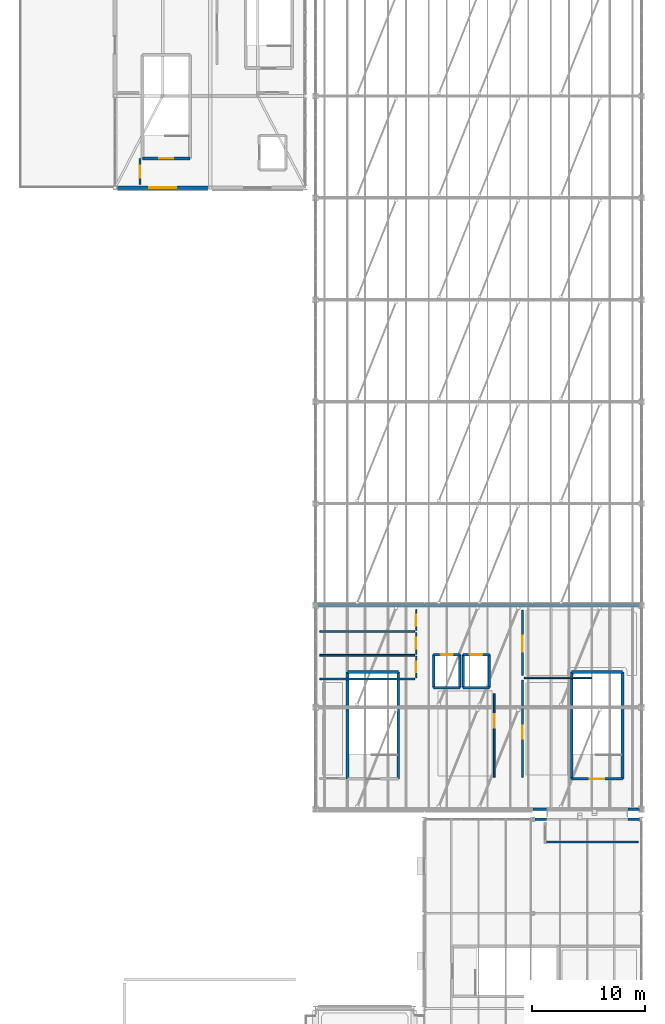
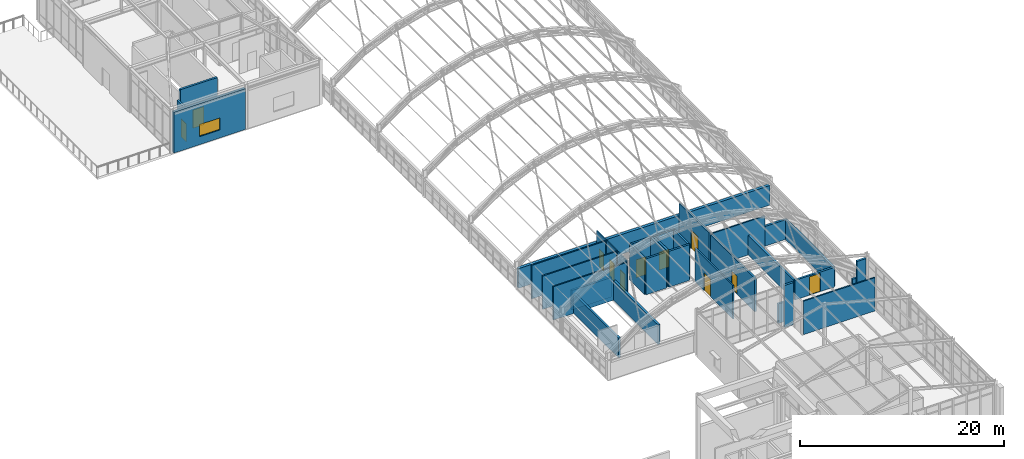
# One storey, part 116 of 121: 36 walls, 11 doors, 1 window, 12 openings.
"""IFC4 building model written with IfcOpenShell, lengths in metres."""

from ifc_helpers import new_model, si_unit, direction, frame, frame_2d, origin, place, context, subcontext, project, spatial, rectangle, extrude, material, layer, layer_set, type_object, element, fill, save


model = new_model("IFC4")

# Units and contexts
model_context = context("Model", 3, precision=1e-05, world=origin(), true_north=direction((0.0, 1.0)))
body_context = subcontext(model_context, "Body", "Model", "MODEL_VIEW")
ifc_project = project(units=[si_unit("LENGTHUNIT", "METRE"), si_unit("AREAUNIT", "SQUARE_METRE"), si_unit("VOLUMEUNIT", "CUBIC_METRE"), si_unit("PLANEANGLEUNIT", "RADIAN"), si_unit("MASSUNIT", "GRAM", prefix="KILO")], contexts=[model_context])

# Site, building, storey
site_placement = place(None, origin())
site = spatial("IfcSite", under=ifc_project, at=site_placement, CompositionType="ELEMENT")
building_placement = place(site_placement, origin())
building = spatial("IfcBuilding", under=site, at=building_placement, Name="Canglan Escarpment Cableway Terminal", CompositionType="ELEMENT")
storey_placement = place(building_placement, frame((0.0, 0.0, 24.60009765625)))
storey = spatial("IfcBuildingStorey", under=building, at=storey_placement, Name="L05", CompositionType="ELEMENT", Elevation=24.60009765625)

# Wall, opening, door
ifc_material_1 = material(Name="Concrete C40", Category="concrete")
ifc_layer_1 = layer(ifc_material_1, 0.239990234375, Name="Concrete C40")
ifc_layer_set_1 = layer_set([ifc_layer_1], Name="Concrete C40")
wall_type_1 = type_object("IfcWallType", Name="WL-CORE-SHEAR-240", PredefinedType="SHEAR", material=ifc_layer_set_1)
wall_1_placement = place(storey_placement, frame((122.330078125, 91.47998046875, 0.0), z_axis=(0.0, 0.0, 1.0), x_axis=(1.0, 0.0, 0.0)))
wall_1 = element("IfcWall", 1, at=wall_1_placement, inside=storey, type_object=wall_type_1, Name="Protected stair core wall ST-12 (L05)", PredefinedType="SHEAR", context=body_context, shape_type="SweptSolid", body=[
    extrude(rectangle(XDim=4.18994140625, YDim=0.239990234375, at=frame_2d((2.094970703125, 0.0))), origin(), (0.0, 0.0, 1.0), 5.199951171875),
])
opening_1_placement = place(wall_1_placement, frame((1.469970703125, 0.0, 0.0)))
opening_1 = element("IfcOpeningElement", 2, at=opening_1_placement, cuts=wall_1, Name="Opening SD-D1", PredefinedType="OPENING", context=body_context, shape_type="SweptSolid", body=[
    extrude(rectangle(XDim=1.25, YDim=2.199951171875, at=frame_2d((0.625, 1.10009765625))), frame((0.0, 0.1298828125, 0.0), z_axis=(0.0, -1.0, 0.0), x_axis=(1.0, 0.0, 0.0)), (0.0, 0.0, 1.0), 0.260009765625),
])
ifc_material_2 = material(Name="Steel fire-resisting stair door", Category="steel")
door_type_1 = type_object("IfcDoorType", Name="DR-STAIR-EI90-1250", OperationType="NOTDEFINED", PredefinedType="DOOR", material=ifc_material_2)
door_1_placement = place(opening_1_placement, origin())
door_1 = element("IfcDoor", 3, at=door_1_placement, inside=storey, type_object=door_type_1, Name="Protected exit stair fire door ST-12 (L05)", OperationType="SINGLE_SWING_RIGHT", OverallHeight=2.199951171875, OverallWidth=1.25, PredefinedType="DOOR", context=body_context, shape_type="SweptSolid", body=[
    extrude(rectangle(XDim=1.25, YDim=2.199951171875, at=frame_2d((0.625, 1.10009765625))), frame((0.0, 0.02490234375, 0.0), z_axis=(0.0, -1.0, 0.0), x_axis=(1.0, 0.0, 0.0)), (0.0, 0.0, 1.0), 0.050048828125),
])
fill(opening_1, door_1)

# Walls
wall_2_placement = place(storey_placement, frame((144.919921875, 36.679931640625, 0.0), z_axis=(0.0, 0.0, 1.0), x_axis=(0.0, 1.0, 0.0)))
element("IfcWall", 4, at=wall_2_placement, inside=storey, type_object=wall_type_1, Name="Protected stair core wall ST-13 (L05)", PredefinedType="SHEAR", context=body_context, shape_type="SweptSolid", body=[
    extrude(rectangle(XDim=9.440185546875, YDim=0.239990234375, at=frame_2d((4.72021484375, 0.0))), origin(), (0.0, 0.0, 1.0), 2.349853515625),
])
wall_3_placement = place(storey_placement, frame((144.919921875, 46.1201171875, 0.0), z_axis=(0.0, 0.0, 1.0), x_axis=(-1.0, 0.0, 0.0)))
element("IfcWall", 5, at=wall_3_placement, inside=storey, type_object=wall_type_1, Name="Protected stair core wall ST-13 (L05)", PredefinedType="SHEAR", context=body_context, shape_type="SweptSolid", body=[
    extrude(rectangle(XDim=4.489990234375, YDim=0.239990234375, at=frame_2d((2.2451171875, 0.0))), origin(), (0.0, 0.0, 1.0), 2.349853515625),
])
for number, where, z_axis, x_axis, name in (
    (6, (140.429931640625, 46.1201171875, 0.0), (0.0, 0.0, 1.0), (0.0, -1.0, 0.0), "Protected stair core wall ST-13 (L05)"),
    (7, (164.719970703125, 36.679931640625, 0.0), (0.0, 0.0, 1.0), (0.0, 1.0, 0.0), "Protected stair core wall ST-15 (L05)"),
):
    element("IfcWall", number, at=place(storey_placement, frame(where, z_axis=z_axis, x_axis=x_axis)), inside=storey, type_object=wall_type_1, Name=name, PredefinedType="SHEAR", context=body_context, shape_type="SweptSolid", body=[
        extrude(rectangle(XDim=9.440185546875, YDim=0.239990234375, at=frame_2d((4.72021484375, 0.0))), origin(), (0.0, 0.0, 1.0), 2.349853515625),
    ])
wall_4_placement = place(storey_placement, frame((164.719970703125, 46.1201171875, 0.0), z_axis=(0.0, 0.0, 1.0), x_axis=(-1.0, 0.0, 0.0)))
element("IfcWall", 8, at=wall_4_placement, inside=storey, type_object=wall_type_1, Name="Protected stair core wall ST-15 (L05)", PredefinedType="SHEAR", context=body_context, shape_type="SweptSolid", body=[
    extrude(rectangle(XDim=4.489990234375, YDim=0.239990234375, at=frame_2d((2.2451171875, 0.0))), origin(), (0.0, 0.0, 1.0), 2.349853515625),
])
wall_5_placement = place(storey_placement, frame((160.22998046875, 46.1201171875, 0.0), z_axis=(0.0, 0.0, 1.0), x_axis=(0.0, -1.0, 0.0)))
element("IfcWall", 9, at=wall_5_placement, inside=storey, type_object=wall_type_1, Name="Protected stair core wall ST-15 (L05)", PredefinedType="SHEAR", context=body_context, shape_type="SweptSolid", body=[
    extrude(rectangle(XDim=9.440185546875, YDim=0.239990234375, at=frame_2d((4.72021484375, 0.0))), origin(), (0.0, 0.0, 1.0), 2.349853515625),
])

# Wall, opening, door
wall_6_placement = place(storey_placement, frame((160.22998046875, 36.679931640625, 0.0), z_axis=(0.0, 0.0, 1.0), x_axis=(1.0, 0.0, 0.0)))
wall_6 = element("IfcWall", 10, at=wall_6_placement, inside=storey, type_object=wall_type_1, Name="Protected stair core wall ST-15 (L05)", PredefinedType="SHEAR", context=body_context, shape_type="SweptSolid", body=[
    extrude(rectangle(XDim=4.489990234375, YDim=0.239990234375, at=frame_2d((2.2451171875, 0.0))), origin(), (0.0, 0.0, 1.0), 2.349853515625),
])
opening_2_placement = place(wall_6_placement, frame((1.6201171875, 0.0, 0.0)))
opening_2 = element("IfcOpeningElement", 11, at=opening_2_placement, cuts=wall_6, Name="Opening SD-D1", PredefinedType="OPENING", context=body_context, shape_type="SweptSolid", body=[
    extrude(rectangle(XDim=1.25, YDim=2.199951171875, at=frame_2d((0.625, 1.10009765625))), frame((0.0, 0.1298828125, 0.0), z_axis=(0.0, -1.0, 0.0), x_axis=(1.0, 0.0, 0.0)), (0.0, 0.0, 1.0), 0.260009765625),
])
door_2_placement = place(opening_2_placement, origin())
door_2 = element("IfcDoor", 12, at=door_2_placement, inside=storey, type_object=door_type_1, Name="Protected exit stair fire door ST-15 (L05)", OperationType="SINGLE_SWING_LEFT", OverallHeight=2.199951171875, OverallWidth=1.25, PredefinedType="DOOR", context=body_context, shape_type="SweptSolid", body=[
    extrude(rectangle(XDim=1.25, YDim=2.199951171875, at=frame_2d((0.625, 1.10009765625))), frame((0.0, 0.02490234375, 0.0), z_axis=(0.0, -1.0, 0.0), x_axis=(1.0, 0.0, 0.0)), (0.0, 0.0, 1.0), 0.050048828125),
])
fill(opening_2, door_2)

# Walls
ifc_material_3 = material(Name="Dressed ashlar limestone on Concrete C40", Category="masonry")
ifc_layer_2 = layer(ifc_material_3, 0.320068359375, Name="Dressed ashlar limestone on Concrete C40")
ifc_layer_set_2 = layer_set([ifc_layer_2], Name="Dressed ashlar limestone on Concrete C40")
wall_type_2 = type_object("IfcWallType", Name="WL-EXT-ASHLAR-320", PredefinedType="STANDARD", material=ifc_layer_set_2)
wall_7_placement = place(storey_placement, frame((147.199951171875, 52.0, 0.0), z_axis=(0.0, 0.0, 1.0), x_axis=(-1.0, 0.0, 0.0)))
element("IfcWall", 13, at=wall_7_placement, inside=storey, type_object=wall_type_2, Name="Classical stone-faced exterior wall EW-FB9-L05-N-01", PredefinedType="STANDARD", context=body_context, shape_type="SweptSolid", body=[
    extrude(rectangle(XDim=9.425048828125, YDim=0.320068359375, at=frame_2d((4.71240234375, 0.0))), origin(), (0.0, 0.0, 1.0), 2.349853515625),
])
wall_8_placement = place(storey_placement, frame((156.800048828125, 52.0, 0.0), z_axis=(0.0, 0.0, 1.0), x_axis=(-1.0, 0.0, 0.0)))
element("IfcWall", 14, at=wall_8_placement, inside=storey, type_object=wall_type_2, Name="Classical stone-faced exterior wall EW-FB9-L05-N-02", PredefinedType="STANDARD", context=body_context, shape_type="SweptSolid", body=[
    extrude(rectangle(XDim=9.60009765625, YDim=0.320068359375, at=frame_2d((4.800048828125, 0.0))), origin(), (0.0, 0.0, 1.0), 2.349853515625),
])
wall_9_placement = place(storey_placement, frame((166.22509765625, 52.0, 0.0), z_axis=(0.0, 0.0, 1.0), x_axis=(-1.0, 0.0, 0.0)))
element("IfcWall", 15, at=wall_9_placement, inside=storey, type_object=wall_type_2, Name="Classical stone-faced exterior wall EW-FB9-L05-N-03", PredefinedType="STANDARD", context=body_context, shape_type="SweptSolid", body=[
    extrude(rectangle(XDim=9.425048828125, YDim=0.320068359375, at=frame_2d((4.71240234375, 0.0))), origin(), (0.0, 0.0, 1.0), 2.349853515625),
])

# Wall, opening, window
ifc_material_4 = material(Name="Bush-hammered granite ashlar on Concrete C40", Category="masonry")
ifc_layer_3 = layer(ifc_material_4, 0.340087890625, Name="Bush-hammered granite ashlar on Concrete C40")
ifc_layer_set_3 = layer_set([ifc_layer_3], Name="Bush-hammered granite ashlar on Concrete C40")
wall_type_3 = type_object("IfcWallType", Name="WL-EXT-GRAN-340", PredefinedType="STANDARD", material=ifc_layer_set_3)
wall_10_placement = place(storey_placement, frame((120.077880859375, 88.89990234375, 0.0), z_axis=(0.0, 0.0, 1.0), x_axis=(1.0, 0.0, 0.0)))
wall_10 = element("IfcWall", 16, at=wall_10_placement, inside=storey, type_object=wall_type_3, Name="Classical stone-faced exterior wall EW-FB8-L05-S-01", PredefinedType="STANDARD", context=body_context, shape_type="SweptSolid", body=[
    extrude(rectangle(XDim=8.072021484375, YDim=0.340087890625, at=frame_2d((4.0361328125, 0.0))), origin(), (0.0, 0.0, 1.0), 4.880859375),
])
opening_3_placement = place(wall_10_placement, frame((2.861083984375, 0.0, 0.949951171875)))
opening_3 = element("IfcOpeningElement", 17, at=opening_3_placement, cuts=wall_10, Name="Opening W-21", PredefinedType="OPENING", context=body_context, shape_type="SweptSolid", body=[
    extrude(rectangle(XDim=2.35009765625, YDim=1.449951171875, at=frame_2d((1.175048828125, 0.72509765625))), frame((0.0, 0.18017578125, 0.0), z_axis=(0.0, -1.0, 0.0), x_axis=(1.0, 0.0, 0.0)), (0.0, 0.0, 1.0), 0.360107421875),
])
ifc_material_5 = material(Name="Anodized bronze aluminium and Low-E double glazing", Category="aluminium")
window_type = type_object("IfcWindowType", Name="WIN-EXT-21", PartitioningType="DOUBLE_PANEL_VERTICAL", PredefinedType="WINDOW", material=ifc_material_5)
window_placement = place(opening_3_placement, origin())
window = element("IfcWindow", 18, at=window_placement, inside=storey, type_object=window_type, Name="Classical module window W-21", OverallHeight=1.449951171875, OverallWidth=2.35009765625, PartitioningType="SINGLE_PANEL", PredefinedType="WINDOW", context=body_context, shape_type="SweptSolid", body=[
    extrude(rectangle(XDim=2.35009765625, YDim=1.449951171875, at=frame_2d((1.175048828125, 0.72509765625))), frame((0.0, 0.030029296875, 0.0), z_axis=(0.0, -1.0, 0.0), x_axis=(1.0, 0.0, 0.0)), (0.0, 0.0, 1.0), 0.06005859375),
])
fill(opening_3, window)

# Walls
ifc_material_6 = material(Name="Insulated stone-faced spandrel wall", Category="masonry")
ifc_layer_4 = layer(ifc_material_6, 0.22998046875, Name="Insulated stone-faced spandrel wall")
ifc_layer_set_4 = layer_set([ifc_layer_4], Name="Insulated stone-faced spandrel wall")
wall_type_4 = type_object("IfcWallType", Name="WL-EXT-LINK-230", PredefinedType="STANDARD", material=ifc_layer_set_4)
wall_11_placement = place(storey_placement, frame((156.97509765625, 33.10009765625, 0.0), z_axis=(0.0, 0.0, 1.0), x_axis=(1.0, 0.0, 0.0)))
element("IfcWall", 19, at=wall_11_placement, inside=storey, type_object=wall_type_4, Name="Classical stone-faced exterior wall EW-FB5-L05-N-02-FL1", PredefinedType="STANDARD", context=body_context, shape_type="SweptSolid", body=[
    extrude(rectangle(XDim=1.02490234375, YDim=0.22998046875, at=frame_2d((0.512451171875, 0.0))), origin(), (0.0, 0.0, 1.0), 5.0498046875),
])
wall_12_placement = place(storey_placement, frame((165.199951171875, 33.10009765625, 0.0), z_axis=(0.0, 0.0, 1.0), x_axis=(1.0, 0.0, 0.0)))
element("IfcWall", 20, at=wall_12_placement, inside=storey, type_object=wall_type_4, Name="Classical stone-faced exterior wall EW-FB5-L05-N-02-FL2", PredefinedType="STANDARD", context=body_context, shape_type="SweptSolid", body=[
    extrude(rectangle(XDim=1.025146484375, YDim=0.22998046875, at=frame_2d((0.5126953125, 0.0))), origin(), (0.0, 0.0, 1.0), 5.0498046875),
])
wall_13_placement = place(storey_placement, frame((156.800048828125, 34.0, 0.0), z_axis=(0.0, 0.0, 1.0), x_axis=(1.0, 0.0, 0.0)))
element("IfcWall", 21, at=wall_13_placement, inside=storey, type_object=wall_type_4, Name="Classical stone-faced exterior wall EW-FB9-L05-S-03-FL1", PredefinedType="STANDARD", context=body_context, shape_type="SweptSolid", body=[
    extrude(rectangle(XDim=1.199951171875, YDim=0.22998046875, at=frame_2d((0.60009765625, 0.0))), origin(), (0.0, 0.0, 1.0), 2.349853515625),
])
wall_14_placement = place(storey_placement, frame((165.199951171875, 34.0, 0.0), z_axis=(0.0, 0.0, 1.0), x_axis=(1.0, 0.0, 0.0)))
element("IfcWall", 22, at=wall_14_placement, inside=storey, type_object=wall_type_4, Name="Classical stone-faced exterior wall EW-FB9-L05-S-03-FL2", PredefinedType="STANDARD", context=body_context, shape_type="SweptSolid", body=[
    extrude(rectangle(XDim=1.025146484375, YDim=0.22998046875, at=frame_2d((0.5126953125, 0.0))), origin(), (0.0, 0.0, 1.0), 2.349853515625),
])

# Wall, opening, door
ifc_material_7 = material(Name="Autoclaved aerated concrete blockwork", Category="masonry")
ifc_layer_5 = layer(ifc_material_7, 0.179931640625, Name="Autoclaved aerated concrete blockwork")
ifc_layer_set_5 = layer_set([ifc_layer_5], Name="Autoclaved aerated concrete blockwork")
wall_type_5 = type_object("IfcWallType", Name="WL-INT-FIRE-180-EI60", PredefinedType="PARTITIONING", material=ifc_layer_set_5)
wall_15_placement = place(storey_placement, frame((122.10009765625, 89.199951171875, 0.0), z_axis=(0.0, 0.0, 1.0), x_axis=(0.0, 1.0, 0.0)))
wall_15 = element("IfcWall", 23, at=wall_15_placement, inside=storey, type_object=wall_type_5, Name="Interior partition wall IW-L05-10-MAIN", PredefinedType="PARTITIONING", context=body_context, shape_type="SweptSolid", body=[
    extrude(rectangle(XDim=2.300048828125, YDim=0.179931640625, at=frame_2d((1.14990234375, 0.0))), origin(), (0.0, 0.0, 1.0), 4.0),
])
opening_4_placement = place(wall_15_placement, frame((0.574951171875, 0.0, 0.0)))
opening_4 = element("IfcOpeningElement", 24, at=opening_4_placement, cuts=wall_15, Name="Opening ID-04", PredefinedType="OPENING", context=body_context, shape_type="SweptSolid", body=[
    extrude(rectangle(XDim=1.050048828125, YDim=2.14990234375, at=frame_2d((0.52490234375, 1.074951171875))), frame((0.0, 0.10009765625, 0.0), z_axis=(0.0, -1.0, 0.0), x_axis=(1.0, 0.0, 0.0)), (0.0, 0.0, 1.0), 0.199951171875),
])
ifc_material_8 = material(Name="Stained oak and safety glass door", Category="glass")
door_type_2 = type_object("IfcDoorType", Name="DR-INT-ID-04", OperationType="NOTDEFINED", PredefinedType="DOOR", material=ifc_material_8)
door_3_placement = place(opening_4_placement, origin())
door_3 = element("IfcDoor", 25, at=door_3_placement, inside=storey, type_object=door_type_2, Name="Rope Tension Telemetry Room door ID-04", OperationType="SINGLE_SWING_RIGHT", OverallHeight=2.14990234375, OverallWidth=1.050048828125, PredefinedType="DOOR", context=body_context, shape_type="SweptSolid", body=[
    extrude(rectangle(XDim=1.050048828125, YDim=2.14990234375, at=frame_2d((0.52490234375, 1.074951171875))), frame((0.0, 0.02490234375, 0.0), z_axis=(0.0, -1.0, 0.0), x_axis=(1.0, 0.0, 0.0)), (0.0, 0.0, 1.0), 0.050048828125),
])
fill(opening_4, door_3)

wall_16_placement = place(storey_placement, frame((155.89990234375, 45.800048828125, 0.0), z_axis=(0.0, 0.0, 1.0), x_axis=(0.0, 1.0, 0.0)))
wall_16 = element("IfcWall", 26, at=wall_16_placement, inside=storey, type_object=wall_type_5, Name="Interior partition wall IW-L05-13-MAIN", PredefinedType="PARTITIONING", context=body_context, shape_type="SweptSolid", body=[
    extrude(rectangle(XDim=5.800048828125, YDim=0.179931640625, at=frame_2d((2.89990234375, 0.0))), origin(), (0.0, 0.0, 1.0), 4.0),
])
opening_5_placement = place(wall_16_placement, frame((2.10009765625, 0.0, 0.0)))
opening_5 = element("IfcOpeningElement", 27, at=opening_5_placement, cuts=wall_16, Name="Opening ID-17", PredefinedType="OPENING", context=body_context, shape_type="SweptSolid", body=[
    extrude(rectangle(XDim=1.39990234375, YDim=2.219970703125, at=frame_2d((0.699951171875, 1.10986328125))), frame((0.0, 0.10009765625, 0.0), z_axis=(0.0, -1.0, 0.0), x_axis=(1.0, 0.0, 0.0)), (0.0, 0.0, 1.0), 0.199951171875),
])
door_type_3 = type_object("IfcDoorType", Name="DR-INT-ID-17", OperationType="NOTDEFINED", PredefinedType="DOOR", material=ifc_material_8)
door_4_placement = place(opening_5_placement, origin())
door_4 = element("IfcDoor", 28, at=door_4_placement, inside=storey, type_object=door_type_3, Name="Ropeway Dispatch Control Bridge door ID-17", OperationType="SINGLE_SWING_LEFT", OverallHeight=2.219970703125, OverallWidth=1.39990234375, PredefinedType="DOOR", context=body_context, shape_type="SweptSolid", body=[
    extrude(rectangle(XDim=1.39990234375, YDim=2.219970703125, at=frame_2d((0.699951171875, 1.10986328125))), frame((0.0, 0.02490234375, 0.0), z_axis=(0.0, -1.0, 0.0), x_axis=(1.0, 0.0, 0.0)), (0.0, 0.0, 1.0), 0.050048828125),
])
fill(opening_5, door_4)

ifc_layer_6 = layer(ifc_material_7, 0.199951171875, Name="Autoclaved aerated concrete blockwork")
ifc_layer_set_6 = layer_set([ifc_layer_6], Name="Autoclaved aerated concrete blockwork")
wall_type_6 = type_object("IfcWallType", Name="WL-INT-FIRE-200-EI90", PredefinedType="PARTITIONING", material=ifc_layer_set_6)
wall_17_placement = place(storey_placement, frame((155.89990234375, 36.800048828125, 0.0), z_axis=(0.0, 0.0, 1.0), x_axis=(0.0, 1.0, 0.0)))
wall_17 = element("IfcWall", 29, at=wall_17_placement, inside=storey, type_object=wall_type_6, Name="Interior partition wall IW-L05-14-MAIN", PredefinedType="PARTITIONING", context=body_context, shape_type="SweptSolid", body=[
    extrude(rectangle(XDim=8.599853515625, YDim=0.199951171875, at=frame_2d((4.2998046875, 0.0))), origin(), (0.0, 0.0, 1.0), 4.0),
])
opening_6_placement = place(wall_17_placement, frame((3.425048828125, 0.0, 0.0)))
opening_6 = element("IfcOpeningElement", 30, at=opening_6_placement, cuts=wall_17, Name="Opening ID-08", PredefinedType="OPENING", context=body_context, shape_type="SweptSolid", body=[
    extrude(rectangle(XDim=1.14990234375, YDim=2.159912109375, at=frame_2d((0.574951171875, 1.080078125))), frame((0.0, 0.10986328125, 0.0), z_axis=(0.0, -1.0, 0.0), x_axis=(1.0, 0.0, 0.0)), (0.0, 0.0, 1.0), 0.219970703125),
])
ifc_material_9 = material(Name="Fire-rated steel leaf", Category="steel")
door_type_4 = type_object("IfcDoorType", Name="DR-INT-ID-08", OperationType="NOTDEFINED", PredefinedType="DOOR", material=ifc_material_9)
door_5_placement = place(opening_6_placement, origin())
door_5 = element("IfcDoor", 31, at=door_5_placement, inside=storey, type_object=door_type_4, Name="Line Safety Command Room door ID-08", OperationType="SINGLE_SWING_RIGHT", OverallHeight=2.159912109375, OverallWidth=1.14990234375, PredefinedType="DOOR", context=body_context, shape_type="SweptSolid", body=[
    extrude(rectangle(XDim=1.14990234375, YDim=2.159912109375, at=frame_2d((0.574951171875, 1.080078125))), frame((0.0, 0.02490234375, 0.0), z_axis=(0.0, -1.0, 0.0), x_axis=(1.0, 0.0, 0.0)), (0.0, 0.0, 1.0), 0.050048828125),
])
fill(opening_6, door_5)

ifc_material_10 = material(Name="Moisture-resistant tile-faced partition", Category="gypsum")
ifc_layer_7 = layer(ifc_material_10, 0.1201171875, Name="Moisture-resistant tile-faced partition")
ifc_layer_set_7 = layer_set([ifc_layer_7], Name="Moisture-resistant tile-faced partition")
wall_type_7 = type_object("IfcWallType", Name="WL-INT-PART-120", PredefinedType="PARTITIONING", material=ifc_layer_set_7)
wall_18_placement = place(storey_placement, frame((146.5, 45.60009765625, 0.0), z_axis=(0.0, 0.0, 1.0), x_axis=(0.0, 1.0, 0.0)))
wall_18 = element("IfcWall", 32, at=wall_18_placement, inside=storey, type_object=wall_type_7, Name="Interior partition wall IW-L05-15-MAIN", PredefinedType="PARTITIONING", context=body_context, shape_type="SweptSolid", body=[
    extrude(rectangle(XDim=1.89990234375, YDim=0.1201171875, at=frame_2d((0.949951171875, 0.0))), origin(), (0.0, 0.0, 1.0), 4.0),
])
opening_7_placement = place(wall_18_placement, frame((0.47509765625, 0.0, 0.0)))
opening_7 = element("IfcOpeningElement", 33, at=opening_7_placement, cuts=wall_18, Name="Opening ID-01", PredefinedType="OPENING", context=body_context, shape_type="SweptSolid", body=[
    extrude(rectangle(XDim=0.949951171875, YDim=2.1201171875, at=frame_2d((0.47509765625, 1.06005859375))), frame((0.0, 0.070068359375, 0.0), z_axis=(0.0, -1.0, 0.0), x_axis=(1.0, 0.0, 0.0)), (0.0, 0.0, 1.0), 0.14013671875),
])
door_type_5 = type_object("IfcDoorType", Name="DR-INT-ID-01", OperationType="NOTDEFINED", PredefinedType="DOOR", material=ifc_material_8)
door_6_placement = place(opening_7_placement, origin())
door_6 = element("IfcDoor", 34, at=door_6_placement, inside=storey, type_object=door_type_5, Name="Accessible WC door ID-01", OperationType="SINGLE_SWING_LEFT", OverallHeight=2.1201171875, OverallWidth=0.949951171875, PredefinedType="DOOR", context=body_context, shape_type="SweptSolid", body=[
    extrude(rectangle(XDim=0.949951171875, YDim=2.1201171875, at=frame_2d((0.47509765625, 1.06005859375))), frame((0.0, 0.02490234375, 0.0), z_axis=(0.0, -1.0, 0.0), x_axis=(1.0, 0.0, 0.0)), (0.0, 0.0, 1.0), 0.050048828125),
])
fill(opening_7, door_6)

wall_19_placement = place(storey_placement, frame((146.5, 47.699951171875, 0.0), z_axis=(0.0, 0.0, 1.0), x_axis=(0.0, 1.0, 0.0)))
wall_19 = element("IfcWall", 35, at=wall_19_placement, inside=storey, type_object=wall_type_7, Name="Interior partition wall IW-L05-16-MAIN", PredefinedType="PARTITIONING", context=body_context, shape_type="SweptSolid", body=[
    extrude(rectangle(XDim=1.900146484375, YDim=0.1201171875, at=frame_2d((0.9501953125, 0.0))), origin(), (0.0, 0.0, 1.0), 4.0),
])
opening_8_placement = place(wall_19_placement, frame((0.47509765625, 0.0, 0.0)))
opening_8 = element("IfcOpeningElement", 36, at=opening_8_placement, cuts=wall_19, Name="Opening ID-01", PredefinedType="OPENING", context=body_context, shape_type="SweptSolid", body=[
    extrude(rectangle(XDim=0.949951171875, YDim=2.1201171875, at=frame_2d((0.47509765625, 1.06005859375))), frame((0.0, 0.070068359375, 0.0), z_axis=(0.0, -1.0, 0.0), x_axis=(1.0, 0.0, 0.0)), (0.0, 0.0, 1.0), 0.14013671875),
])
door_7_placement = place(opening_8_placement, origin())
door_7 = element("IfcDoor", 37, at=door_7_placement, inside=storey, type_object=door_type_5, Name="Male WC door ID-01", OperationType="SINGLE_SWING_RIGHT", OverallHeight=2.1201171875, OverallWidth=0.949951171875, PredefinedType="DOOR", context=body_context, shape_type="SweptSolid", body=[
    extrude(rectangle(XDim=0.949951171875, YDim=2.1201171875, at=frame_2d((0.47509765625, 1.06005859375))), frame((0.0, 0.02490234375, 0.0), z_axis=(0.0, -1.0, 0.0), x_axis=(1.0, 0.0, 0.0)), (0.0, 0.0, 1.0), 0.050048828125),
])
fill(opening_8, door_7)

wall_20_placement = place(storey_placement, frame((146.5, 49.800048828125, 0.0), z_axis=(0.0, 0.0, 1.0), x_axis=(0.0, 1.0, 0.0)))
wall_20 = element("IfcWall", 38, at=wall_20_placement, inside=storey, type_object=wall_type_7, Name="Interior partition wall IW-L05-17-MAIN", PredefinedType="PARTITIONING", context=body_context, shape_type="SweptSolid", body=[
    extrude(rectangle(XDim=1.800048828125, YDim=0.1201171875, at=frame_2d((0.89990234375, 0.0))), origin(), (0.0, 0.0, 1.0), 4.0),
])
opening_9_placement = place(wall_20_placement, frame((0.425048828125, 0.0, 0.0)))
opening_9 = element("IfcOpeningElement", 39, at=opening_9_placement, cuts=wall_20, Name="Opening ID-01", PredefinedType="OPENING", context=body_context, shape_type="SweptSolid", body=[
    extrude(rectangle(XDim=0.949951171875, YDim=2.1201171875, at=frame_2d((0.47509765625, 1.06005859375))), frame((0.0, 0.070068359375, 0.0), z_axis=(0.0, -1.0, 0.0), x_axis=(1.0, 0.0, 0.0)), (0.0, 0.0, 1.0), 0.14013671875),
])
door_8_placement = place(opening_9_placement, origin())
door_8 = element("IfcDoor", 40, at=door_8_placement, inside=storey, type_object=door_type_5, Name="Female WC door ID-01", OperationType="SINGLE_SWING_LEFT", OverallHeight=2.1201171875, OverallWidth=0.949951171875, PredefinedType="DOOR", context=body_context, shape_type="SweptSolid", body=[
    extrude(rectangle(XDim=0.949951171875, YDim=2.1201171875, at=frame_2d((0.47509765625, 1.06005859375))), frame((0.0, 0.02490234375, 0.0), z_axis=(0.0, -1.0, 0.0), x_axis=(1.0, 0.0, 0.0)), (0.0, 0.0, 1.0), 0.050048828125),
])
fill(opening_9, door_8)

# Wall
ifc_material_11 = material(Name="Acoustic double-stud gypsum partition", Category="gypsum")
ifc_layer_8 = layer(ifc_material_11, 0.14990234375, Name="Acoustic double-stud gypsum partition")
ifc_layer_set_8 = layer_set([ifc_layer_8], Name="Acoustic double-stud gypsum partition")
wall_type_8 = type_object("IfcWallType", Name="WL-INT-PART-150", PredefinedType="PARTITIONING", material=ifc_layer_set_8)
wall_21_placement = place(storey_placement, frame((158.0, 31.10009765625, 0.0), z_axis=(0.0, 0.0, 1.0), x_axis=(1.0, 0.0, 0.0)))
element("IfcWall", 41, at=wall_21_placement, inside=storey, type_object=wall_type_8, Name="Interior partition wall IW-L05-05-SIDE", PredefinedType="PARTITIONING", context=body_context, shape_type="SweptSolid", body=[
    extrude(rectangle(XDim=8.10009765625, YDim=0.14990234375, at=frame_2d((4.050048828125, 0.0))), origin(), (0.0, 0.0, 1.0), 4.0),
])

# Wall, opening, door
wall_22_placement = place(storey_placement, frame((153.39990234375, 36.800048828125, 0.0), z_axis=(0.0, 0.0, 1.0), x_axis=(0.0, 1.0, 0.0)))
wall_22 = element("IfcWall", 42, at=wall_22_placement, inside=storey, type_object=wall_type_8, Name="Interior partition wall IW-L05-12-MAIN", PredefinedType="PARTITIONING", context=body_context, shape_type="SweptSolid", body=[
    extrude(rectangle(XDim=7.39990234375, YDim=0.14990234375, at=frame_2d((3.699951171875, 0.0))), origin(), (0.0, 0.0, 1.0), 4.0),
])
opening_10_placement = place(wall_22_placement, frame((4.39990234375, 0.0, 0.0)))
opening_10 = element("IfcOpeningElement", 43, at=opening_10_placement, cuts=wall_22, Name="Opening ID-09", PredefinedType="OPENING", context=body_context, shape_type="SweptSolid", body=[
    extrude(rectangle(XDim=1.199951171875, YDim=2.14990234375, at=frame_2d((0.60009765625, 1.074951171875))), frame((0.0, 0.0849609375, 0.0), z_axis=(0.0, -1.0, 0.0), x_axis=(1.0, 0.0, 0.0)), (0.0, 0.0, 1.0), 0.169921875),
])
door_type_6 = type_object("IfcDoorType", Name="DR-INT-ID-09", OperationType="NOTDEFINED", PredefinedType="DOOR", material=ifc_material_8)
door_9_placement = place(opening_10_placement, origin())
door_9 = element("IfcDoor", 44, at=door_9_placement, inside=storey, type_object=door_type_6, Name="Executive Briefing Room door ID-09", OperationType="SINGLE_SWING_RIGHT", OverallHeight=2.14990234375, OverallWidth=1.199951171875, PredefinedType="DOOR", context=body_context, shape_type="SweptSolid", body=[
    extrude(rectangle(XDim=1.199951171875, YDim=2.14990234375, at=frame_2d((0.60009765625, 1.074951171875))), frame((0.0, 0.02490234375, 0.0), z_axis=(0.0, -1.0, 0.0), x_axis=(1.0, 0.0, 0.0)), (0.0, 0.0, 1.0), 0.050048828125),
])
fill(opening_10, door_9)

# Walls
wall_23_placement = place(storey_placement, frame((156.050048828125, 45.60009765625, 0.0), z_axis=(0.0, 0.0, 1.0), x_axis=(1.0, 0.0, 0.0)))
element("IfcWall", 45, at=wall_23_placement, inside=storey, type_object=wall_type_8, Name="Interior partition wall IW-L05-14-SIDE", PredefinedType="PARTITIONING", context=body_context, shape_type="SweptSolid", body=[
    extrude(rectangle(XDim=5.949951171875, YDim=0.14990234375, at=frame_2d((2.97509765625, 0.0))), origin(), (0.0, 0.0, 1.0), 4.0),
])
for number, where, z_axis, x_axis, name in (
    (46, (138.0, 45.5, 0.0), (0.0, 0.0, 1.0), (1.0, 0.0, 0.0), "Interior partition wall IW-L05-15-SIDE"),
    (47, (138.0, 47.60009765625, 0.0), (0.0, 0.0, 1.0), (1.0, 0.0, 0.0), "Interior partition wall IW-L05-16-SIDE"),
    (48, (138.0, 49.699951171875, 0.0), (0.0, 0.0, 1.0), (1.0, 0.0, 0.0), "Interior partition wall IW-L05-17-SIDE"),
):
    element("IfcWall", number, at=place(storey_placement, frame(where, z_axis=z_axis, x_axis=x_axis)), inside=storey, type_object=wall_type_8, Name=name, PredefinedType="PARTITIONING", context=body_context, shape_type="SweptSolid", body=[
        extrude(rectangle(XDim=8.35009765625, YDim=0.14990234375, at=frame_2d((4.175048828125, 0.0))), origin(), (0.0, 0.0, 1.0), 4.0),
    ])
ifc_layer_9 = layer(ifc_material_1, 0.219970703125, Name="Concrete C40")
ifc_layer_set_9 = layer_set([ifc_layer_9], Name="Concrete C40")
wall_type_9 = type_object("IfcWallType", Name="WL-SHAFT-SHEAR-220", PredefinedType="SHEAR", material=ifc_layer_set_9)
wall_24_placement = place(storey_placement, frame((148.0400390625, 44.739990234375, 0.0), z_axis=(0.0, 0.0, 1.0), x_axis=(1.0, 0.0, 0.0)))
element("IfcWall", 49, at=wall_24_placement, inside=storey, type_object=wall_type_9, Name="Elevator core shaft wall LF-03 (L05)", PredefinedType="SHEAR", context=body_context, shape_type="SweptSolid", body=[
    extrude(rectangle(XDim=2.320068359375, YDim=0.219970703125, at=frame_2d((1.16015625, 0.0))), origin(), (0.0, 0.0, 1.0), 4.2998046875),
])
wall_25_placement = place(storey_placement, frame((150.360107421875, 44.739990234375, 0.0), z_axis=(0.0, 0.0, 1.0), x_axis=(0.0, 1.0, 0.0)))
element("IfcWall", 50, at=wall_25_placement, inside=storey, type_object=wall_type_9, Name="Elevator core shaft wall LF-03 (L05)", PredefinedType="SHEAR", context=body_context, shape_type="SweptSolid", body=[
    extrude(rectangle(XDim=2.919921875, YDim=0.219970703125, at=frame_2d((1.4599609375, 0.0))), origin(), (0.0, 0.0, 1.0), 4.2998046875),
])

# Wall, opening, door
wall_26_placement = place(storey_placement, frame((150.360107421875, 47.659912109375, 0.0), z_axis=(0.0, 0.0, 1.0), x_axis=(-1.0, 0.0, 0.0)))
wall_26 = element("IfcWall", 51, at=wall_26_placement, inside=storey, type_object=wall_type_9, Name="Elevator core shaft wall LF-03 (L05)", PredefinedType="SHEAR", context=body_context, shape_type="SweptSolid", body=[
    extrude(rectangle(XDim=2.320068359375, YDim=0.219970703125, at=frame_2d((1.16015625, 0.0))), origin(), (0.0, 0.0, 1.0), 4.2998046875),
])
opening_11_placement = place(wall_26_placement, frame((0.610107421875, 0.0, 0.0)))
opening_11 = element("IfcOpeningElement", 52, at=opening_11_placement, cuts=wall_26, Name="Opening LD-01", PredefinedType="OPENING", context=body_context, shape_type="SweptSolid", body=[
    extrude(rectangle(XDim=1.10009765625, YDim=2.14990234375, at=frame_2d((0.550048828125, 1.074951171875))), frame((0.0, 0.1201171875, 0.0), z_axis=(0.0, -1.0, 0.0), x_axis=(1.0, 0.0, 0.0)), (0.0, 0.0, 1.0), 0.239990234375),
])
ifc_material_12 = material(Name="Brushed stainless steel lift landing door", Category="steel")
door_type_7 = type_object("IfcDoorType", Name="DR-LIFT-SLIDE-1100", OperationType="DOUBLE_DOOR_SLIDING", PredefinedType="DOOR", material=ifc_material_12)
door_10_placement = place(opening_11_placement, origin())
door_10 = element("IfcDoor", 53, at=door_10_placement, inside=storey, type_object=door_type_7, Name="Elevator sliding landing door LF-03 (L05)", OperationType="DOUBLE_DOOR_SLIDING", OverallHeight=2.14990234375, OverallWidth=1.10009765625, PredefinedType="DOOR", context=body_context, shape_type="SweptSolid", body=[
    extrude(rectangle(XDim=1.10009765625, YDim=2.14990234375, at=frame_2d((0.550048828125, 1.074951171875))), frame((0.0, 0.02490234375, 0.0), z_axis=(0.0, -1.0, 0.0), x_axis=(1.0, 0.0, 0.0)), (0.0, 0.0, 1.0), 0.050048828125),
])
fill(opening_11, door_10)

# Walls
wall_27_placement = place(storey_placement, frame((148.0400390625, 47.659912109375, 0.0), z_axis=(0.0, 0.0, 1.0), x_axis=(0.0, -1.0, 0.0)))
element("IfcWall", 54, at=wall_27_placement, inside=storey, type_object=wall_type_9, Name="Elevator core shaft wall LF-03 (L05)", PredefinedType="SHEAR", context=body_context, shape_type="SweptSolid", body=[
    extrude(rectangle(XDim=2.919921875, YDim=0.219970703125, at=frame_2d((1.4599609375, 0.0))), origin(), (0.0, 0.0, 1.0), 4.2998046875),
])
wall_28_placement = place(storey_placement, frame((150.639892578125, 44.739990234375, 0.0), z_axis=(0.0, 0.0, 1.0), x_axis=(1.0, 0.0, 0.0)))
element("IfcWall", 55, at=wall_28_placement, inside=storey, type_object=wall_type_9, Name="Elevator core shaft wall LF-04 (L05)", PredefinedType="SHEAR", context=body_context, shape_type="SweptSolid", body=[
    extrude(rectangle(XDim=2.320068359375, YDim=0.219970703125, at=frame_2d((1.16015625, 0.0))), origin(), (0.0, 0.0, 1.0), 4.2998046875),
])
wall_29_placement = place(storey_placement, frame((152.9599609375, 44.739990234375, 0.0), z_axis=(0.0, 0.0, 1.0), x_axis=(0.0, 1.0, 0.0)))
element("IfcWall", 56, at=wall_29_placement, inside=storey, type_object=wall_type_9, Name="Elevator core shaft wall LF-04 (L05)", PredefinedType="SHEAR", context=body_context, shape_type="SweptSolid", body=[
    extrude(rectangle(XDim=2.919921875, YDim=0.219970703125, at=frame_2d((1.4599609375, 0.0))), origin(), (0.0, 0.0, 1.0), 4.2998046875),
])

# Wall, opening, door
wall_30_placement = place(storey_placement, frame((152.9599609375, 47.659912109375, 0.0), z_axis=(0.0, 0.0, 1.0), x_axis=(-1.0, 0.0, 0.0)))
wall_30 = element("IfcWall", 57, at=wall_30_placement, inside=storey, type_object=wall_type_9, Name="Elevator core shaft wall LF-04 (L05)", PredefinedType="SHEAR", context=body_context, shape_type="SweptSolid", body=[
    extrude(rectangle(XDim=2.320068359375, YDim=0.219970703125, at=frame_2d((1.16015625, 0.0))), origin(), (0.0, 0.0, 1.0), 4.2998046875),
])
opening_12_placement = place(wall_30_placement, frame((0.610107421875, 0.0, 0.0)))
opening_12 = element("IfcOpeningElement", 58, at=opening_12_placement, cuts=wall_30, Name="Opening LD-01", PredefinedType="OPENING", context=body_context, shape_type="SweptSolid", body=[
    extrude(rectangle(XDim=1.10009765625, YDim=2.14990234375, at=frame_2d((0.550048828125, 1.074951171875))), frame((0.0, 0.1201171875, 0.0), z_axis=(0.0, -1.0, 0.0), x_axis=(1.0, 0.0, 0.0)), (0.0, 0.0, 1.0), 0.239990234375),
])
door_11_placement = place(opening_12_placement, origin())
door_11 = element("IfcDoor", 59, at=door_11_placement, inside=storey, type_object=door_type_7, Name="Elevator sliding landing door LF-04 (L05)", OperationType="DOUBLE_DOOR_SLIDING", OverallHeight=2.14990234375, OverallWidth=1.10009765625, PredefinedType="DOOR", context=body_context, shape_type="SweptSolid", body=[
    extrude(rectangle(XDim=1.10009765625, YDim=2.14990234375, at=frame_2d((0.550048828125, 1.074951171875))), frame((0.0, 0.02490234375, 0.0), z_axis=(0.0, -1.0, 0.0), x_axis=(1.0, 0.0, 0.0)), (0.0, 0.0, 1.0), 0.050048828125),
])
fill(opening_12, door_11)

# Wall
wall_31_placement = place(storey_placement, frame((150.639892578125, 47.659912109375, 0.0), z_axis=(0.0, 0.0, 1.0), x_axis=(0.0, -1.0, 0.0)))
element("IfcWall", 60, at=wall_31_placement, inside=storey, type_object=wall_type_9, Name="Elevator core shaft wall LF-04 (L05)", PredefinedType="SHEAR", context=body_context, shape_type="SweptSolid", body=[
    extrude(rectangle(XDim=2.919921875, YDim=0.219970703125, at=frame_2d((1.4599609375, 0.0))), origin(), (0.0, 0.0, 1.0), 4.2998046875),
])

save(model, "model.ifc")
